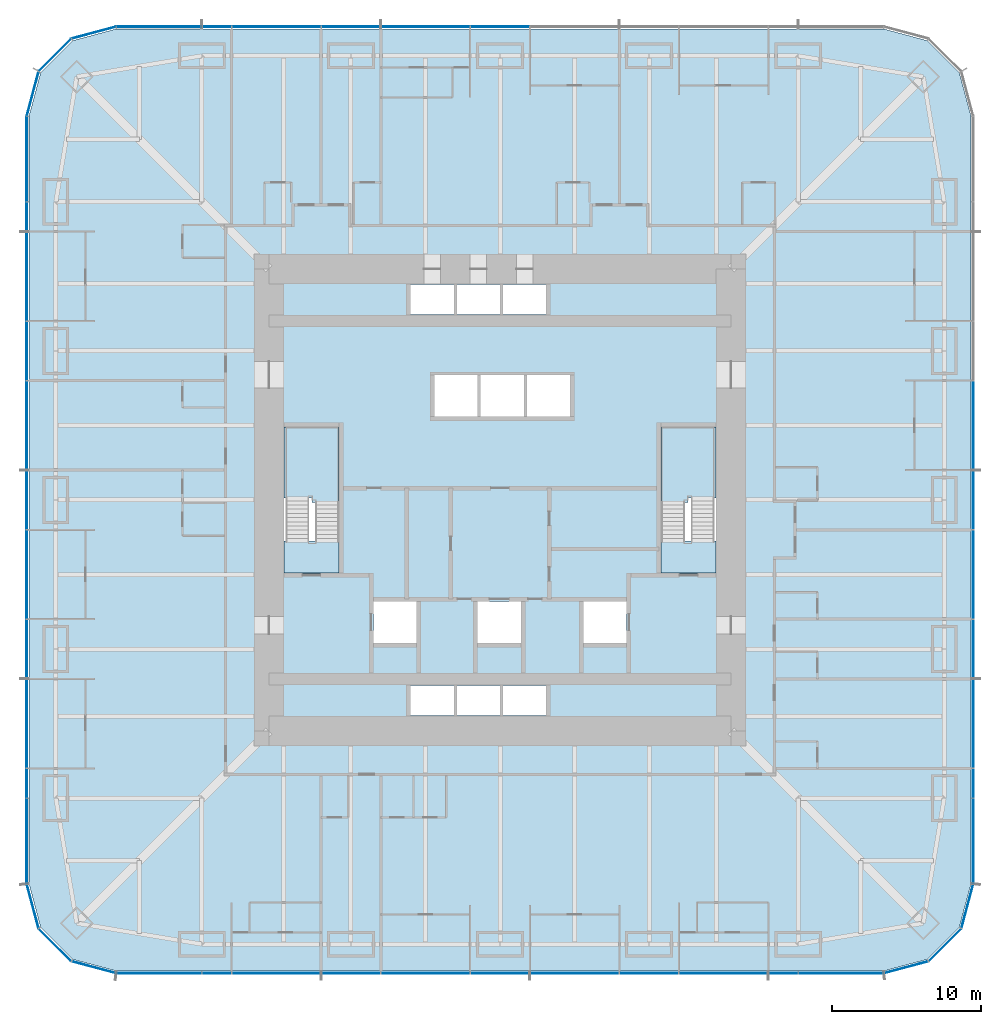
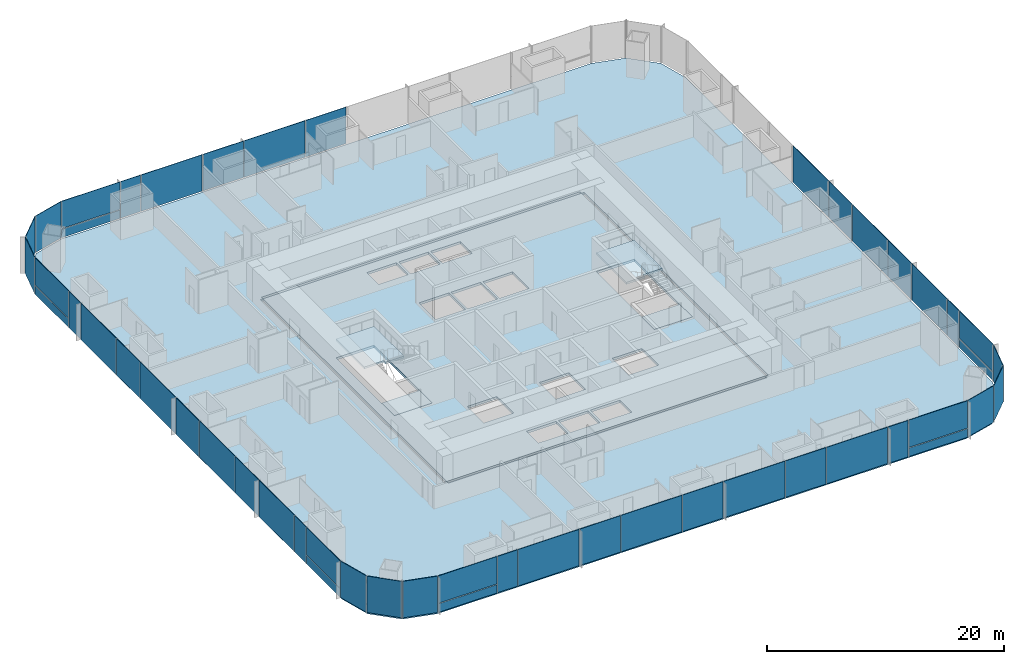
# One storey, part 10 of 17: 50 plates, 6 slabs, 9 elements without a shape of their own.
"""IFC4 building model written with IfcOpenShell, lengths in metres."""

from ifc_helpers import new_model, si_unit, direction, frame, origin, origin_2d, place, context, subcontext, project, spatial, polyline, rectangle, outline, extrude, material, layer, layer_set, type_object, element, aggregate, save


model = new_model("IFC4")

# Units and contexts
model_context = context("Model", 3, precision=1e-05, world=origin(), true_north=direction((0.0, 1.0)))
body_context = subcontext(model_context, "Body", "Model", "MODEL_VIEW")
ifc_project = project(units=[si_unit("LENGTHUNIT", "METRE"), si_unit("AREAUNIT", "SQUARE_METRE"), si_unit("VOLUMEUNIT", "CUBIC_METRE"), si_unit("PLANEANGLEUNIT", "RADIAN"), si_unit("MASSUNIT", "GRAM", prefix="KILO")], contexts=[model_context])

# Site, building, storey
site_placement = place(None, origin())
site = spatial("IfcSite", under=ifc_project, at=site_placement, CompositionType="ELEMENT")
building_placement = place(site_placement, origin())
building = spatial("IfcBuilding", under=site, at=building_placement, Name="Khuree Lantern Residences", CompositionType="ELEMENT")
storey_placement = place(building_placement, frame((0.0, 0.0, 39.75)))
storey = spatial("IfcBuildingStorey", under=building, at=storey_placement, Name="L09", CompositionType="ELEMENT", Elevation=39.75)

# Slab
ifc_material_1 = material(Name="Concrete C35/45", Category="concrete")
ifc_layer_1 = layer(ifc_material_1, 0.25)
ifc_layer_set_1 = layer_set([ifc_layer_1], Name="CFL250 CORE FLOOR SLAB 250")
slab_type_1 = type_object("IfcSlabType", Name="CFL250 CORE FLOOR SLAB 250", PredefinedType="FLOOR", material=ifc_layer_set_1)
slab_1_placement = place(storey_placement, frame((0.0, 0.0, -0.25)))
element("IfcSlab", 1, at=slab_1_placement, inside=storey, type_object=slab_type_1, Name="Core floor L09", PredefinedType="FLOOR", context=body_context, shape_type="SweptSolid", body=[
    extrude(outline(polyline([(-15.5, -15.5), (-15.5, 15.5), (15.5, 15.5), (15.5, -15.5), (-15.5, -15.5)]), holes=[polyline([(14.5, 4.89990234375), (10.800048828125, 4.89990234375), (10.800048828125, -4.89990234375), (14.5, -4.89990234375), (14.5, 4.89990234375)]), polyline([(8.5, -6.800048828125), (5.60009765625, -6.800048828125), (5.60009765625, -9.60009765625), (8.5, -9.60009765625), (8.5, -6.800048828125)]), polyline([(4.699951171875, 8.39990234375), (1.800048828125, 8.39990234375), (1.800048828125, 5.60009765625), (4.699951171875, 5.60009765625), (4.699951171875, 8.39990234375)]), polyline([(0.199951171875, -12.449951171875), (0.199951171875, -14.449951171875), (3.10009765625, -14.449951171875), (3.10009765625, -12.449951171875), (0.199951171875, -12.449951171875)]), polyline([(3.10009765625, 14.449951171875), (0.199951171875, 14.449951171875), (0.199951171875, 12.449951171875), (3.10009765625, 12.449951171875), (3.10009765625, 14.449951171875)]), polyline([(1.60009765625, 8.39990234375), (-1.300048828125, 8.39990234375), (-1.300048828125, 5.60009765625), (1.60009765625, 5.60009765625), (1.60009765625, 8.39990234375)]), polyline([(1.39990234375, -6.800048828125), (-1.5, -6.800048828125), (-1.5, -9.60009765625), (1.39990234375, -9.60009765625), (1.39990234375, -6.800048828125)]), polyline([(0.0, -12.449951171875), (-2.89990234375, -12.449951171875), (-2.89990234375, -14.449951171875), (0.0, -14.449951171875), (0.0, -12.449951171875)]), polyline([(0.0, 14.449951171875), (-2.89990234375, 14.449951171875), (-2.89990234375, 12.449951171875), (0.0, 12.449951171875), (0.0, 14.449951171875)]), polyline([(-1.5, 8.39990234375), (-4.39990234375, 8.39990234375), (-4.39990234375, 5.60009765625), (-1.5, 5.60009765625), (-1.5, 8.39990234375)]), polyline([(-6.0, -12.449951171875), (-6.0, -14.449951171875), (-3.10009765625, -14.449951171875), (-3.10009765625, -12.449951171875), (-6.0, -12.449951171875)]), polyline([(-3.10009765625, 14.449951171875), (-6.0, 14.449951171875), (-6.0, 12.449951171875), (-3.10009765625, 12.449951171875), (-3.10009765625, 14.449951171875)]), polyline([(-5.60009765625, -6.800048828125), (-8.5, -6.800048828125), (-8.5, -9.60009765625), (-5.60009765625, -9.60009765625), (-5.60009765625, -6.800048828125)]), polyline([(-10.800048828125, 4.89990234375), (-14.5, 4.89990234375), (-14.5, -4.89990234375), (-10.800048828125, -4.89990234375), (-10.800048828125, 4.89990234375)])]), origin(), (0.0, 0.0, 1.0), 0.25),
])

# Curtain wall, plates
ifc_material_2 = material(Name="Bronze anodised aluminium", Category="aluminium")
curtain_wall_type_1 = type_object("IfcCurtainWallType", Name="CW-T2 TOWER CORNER CURTAIN WALL", PredefinedType="USERDEFINED", material=ifc_material_2)
curtain_wall_1_placement = place(storey_placement, origin())
curtain_wall_1 = element("IfcCurtainWall", 2, at=curtain_wall_1_placement, inside=storey, type_object=curtain_wall_type_1, Name="L09 SOUTH-EAST CORNER CURTAIN WALL", ObjectType="Faceted corner curtain wall", PredefinedType="USERDEFINED")
ifc_material_3 = material(Name="Bronze tinted triple glazing", Category="glass")
ifc_layer_2 = layer(ifc_material_3, 0.048095703125)
ifc_layer_set_2 = layer_set([ifc_layer_2], Name="FACET PANEL P4")
plate_type_1 = type_object("IfcPlateType", Name="FACET PANEL P4", PredefinedType="CURTAIN_PANEL", material=ifc_layer_set_2)
plate_1_placement = place(storey_placement, frame((27.248046875, -31.3486328125, 0.0), z_axis=(0.0, 0.0, 1.0), x_axis=(0.965925792265, 0.258819172081, 0.0)))
plate_1 = element("IfcPlate", 3, at=plate_1_placement, type_object=plate_type_1, Name="L09 SOUTH-EAST CORNER PANEL 1.1", PredefinedType="CURTAIN_PANEL", context=body_context, shape_type="SweptSolid", body=[
    extrude(rectangle(XDim=3.02978515625, YDim=0.048095703125, at=origin_2d()), origin(), (0.0, 0.0, 1.0), 3.75),
])
plate_2_placement = place(storey_placement, frame((29.84814453125, -29.84814453125, 0.0), z_axis=(0.0, 0.0, 1.0), x_axis=(0.707106781187, 0.707106781187, 0.0)))
plate_2 = element("IfcPlate", 4, at=plate_2_placement, type_object=plate_type_1, Name="L09 SOUTH-EAST CORNER PANEL 2.1", PredefinedType="CURTAIN_PANEL", context=body_context, shape_type="SweptSolid", body=[
    extrude(rectangle(XDim=3.025634765625, YDim=0.048095703125, at=origin_2d()), origin(), (0.0, 0.0, 1.0), 3.75),
])
plate_3_placement = place(storey_placement, frame((31.3486328125, -27.248046875, 0.0), z_axis=(0.0, 0.0, 1.0), x_axis=(0.258819172081, 0.965925792265, 0.0)))
plate_3 = element("IfcPlate", 5, at=plate_3_placement, type_object=plate_type_1, Name="L09 SOUTH-EAST CORNER PANEL 3.1", PredefinedType="CURTAIN_PANEL", context=body_context, shape_type="SweptSolid", body=[
    extrude(rectangle(XDim=3.02978515625, YDim=0.048095703125, at=origin_2d()), origin(), (0.0, 0.0, 1.0), 3.75),
])
aggregate(curtain_wall_1, [plate_1, plate_2, plate_3])

curtain_wall_2_placement = place(storey_placement, origin())
curtain_wall_2 = element("IfcCurtainWall", 6, at=curtain_wall_2_placement, inside=storey, type_object=curtain_wall_type_1, Name="L09 NORTH-WEST CORNER CURTAIN WALL", ObjectType="Faceted corner curtain wall", PredefinedType="USERDEFINED")
plate_4_placement = place(storey_placement, frame((-27.248046875, 31.3486328125, 0.0), z_axis=(0.0, 0.0, 1.0), x_axis=(-0.965925792265, -0.258819172081, 0.0)))
plate_4 = element("IfcPlate", 7, at=plate_4_placement, type_object=plate_type_1, Name="L09 NORTH-WEST CORNER PANEL 29.1", PredefinedType="CURTAIN_PANEL", context=body_context, shape_type="SweptSolid", body=[
    extrude(rectangle(XDim=3.02978515625, YDim=0.048095703125, at=origin_2d()), origin(), (0.0, 0.0, 1.0), 3.75),
])
plate_5_placement = place(storey_placement, frame((-29.84814453125, 29.84814453125, 0.0), z_axis=(0.0, 0.0, 1.0), x_axis=(-0.707106781187, -0.707106781187, 0.0)))
plate_5 = element("IfcPlate", 8, at=plate_5_placement, type_object=plate_type_1, Name="L09 NORTH-WEST CORNER PANEL 30.1", PredefinedType="CURTAIN_PANEL", context=body_context, shape_type="SweptSolid", body=[
    extrude(rectangle(XDim=3.025634765625, YDim=0.048095703125, at=origin_2d()), origin(), (0.0, 0.0, 1.0), 3.75),
])
plate_6_placement = place(storey_placement, frame((-31.3486328125, 27.248046875, 0.0), z_axis=(0.0, 0.0, 1.0), x_axis=(-0.258819172081, -0.965925792265, 0.0)))
plate_6 = element("IfcPlate", 9, at=plate_6_placement, type_object=plate_type_1, Name="L09 NORTH-WEST CORNER PANEL 31.1", PredefinedType="CURTAIN_PANEL", context=body_context, shape_type="SweptSolid", body=[
    extrude(rectangle(XDim=3.02978515625, YDim=0.048095703125, at=origin_2d()), origin(), (0.0, 0.0, 1.0), 3.75),
])
aggregate(curtain_wall_2, [plate_4, plate_5, plate_6])

curtain_wall_3_placement = place(storey_placement, origin())
curtain_wall_3 = element("IfcCurtainWall", 10, at=curtain_wall_3_placement, inside=storey, type_object=curtain_wall_type_1, Name="L09 SOUTH-WEST CORNER CURTAIN WALL", ObjectType="Faceted corner curtain wall", PredefinedType="USERDEFINED")
plate_7_placement = place(storey_placement, frame((-31.3486328125, -27.248046875, 0.0), z_axis=(0.0, 0.0, 1.0), x_axis=(0.258819172081, -0.965925792265, 0.0)))
plate_7 = element("IfcPlate", 11, at=plate_7_placement, type_object=plate_type_1, Name="L09 SOUTH-WEST CORNER PANEL 43.1", PredefinedType="CURTAIN_PANEL", context=body_context, shape_type="SweptSolid", body=[
    extrude(rectangle(XDim=3.02978515625, YDim=0.048095703125, at=origin_2d()), origin(), (0.0, 0.0, 1.0), 3.75),
])
plate_8_placement = place(storey_placement, frame((-29.84814453125, -29.84814453125, 0.0), z_axis=(0.0, 0.0, 1.0), x_axis=(0.707106781187, -0.707106781187, 0.0)))
plate_8 = element("IfcPlate", 12, at=plate_8_placement, type_object=plate_type_1, Name="L09 SOUTH-WEST CORNER PANEL 44.1", PredefinedType="CURTAIN_PANEL", context=body_context, shape_type="SweptSolid", body=[
    extrude(rectangle(XDim=3.025634765625, YDim=0.048095703125, at=origin_2d()), origin(), (0.0, 0.0, 1.0), 3.75),
])
plate_9_placement = place(storey_placement, frame((-27.248046875, -31.3486328125, 0.0), z_axis=(0.0, 0.0, 1.0), x_axis=(0.965925792265, -0.258819172081, 0.0)))
plate_9 = element("IfcPlate", 13, at=plate_9_placement, type_object=plate_type_1, Name="L09 SOUTH-WEST CORNER PANEL 45.1", PredefinedType="CURTAIN_PANEL", context=body_context, shape_type="SweptSolid", body=[
    extrude(rectangle(XDim=3.02978515625, YDim=0.048095703125, at=origin_2d()), origin(), (0.0, 0.0, 1.0), 3.75),
])
aggregate(curtain_wall_3, [plate_7, plate_8, plate_9])

curtain_wall_type_2 = type_object("IfcCurtainWallType", Name="CW-T1 TOWER FACE CURTAIN WALL", PredefinedType="USERDEFINED", material=ifc_material_2)
curtain_wall_4_placement = place(storey_placement, origin())
curtain_wall_4 = element("IfcCurtainWall", 14, at=curtain_wall_4_placement, inside=storey, type_object=curtain_wall_type_2, Name="L09 EAST FACE CURTAIN WALL", ObjectType="Stick-built curtain wall", PredefinedType="USERDEFINED")
ifc_material_4 = material(Name="Bronze tinted triple glazing with a ceramic-fritted spandrel band", Category="glass")
ifc_layer_3 = layer(ifc_material_4, 0.048095703125)
ifc_layer_set_3 = layer_set([ifc_layer_3], Name="FIXED LIGHT PANEL P11")
plate_type_2 = type_object("IfcPlateType", Name="FIXED LIGHT PANEL P11", PredefinedType="CURTAIN_PANEL", material=ifc_layer_set_3)
plate_10_placement = place(storey_placement, frame((31.75, -15.0, 0.0), z_axis=(0.0, 0.0, 1.0), x_axis=(0.0, 1.0, 0.0)))
plate_10 = element("IfcPlate", 15, at=plate_10_placement, type_object=plate_type_2, Name="L09 EAST FACE PANEL 6.1", PredefinedType="CURTAIN_PANEL", context=body_context, shape_type="SweptSolid", body=[
    extrude(rectangle(XDim=5.93505859375, YDim=0.048095703125, at=origin_2d()), origin(), (0.0, 0.0, 1.0), 3.75),
])
plate_11_placement = place(storey_placement, frame((31.75, -5.0, 0.0), z_axis=(0.0, 0.0, 1.0), x_axis=(0.0, 1.0, 0.0)))
plate_11 = element("IfcPlate", 16, at=plate_11_placement, type_object=plate_type_2, Name="L09 EAST FACE PANEL 8.1", PredefinedType="CURTAIN_PANEL", context=body_context, shape_type="SweptSolid", body=[
    extrude(rectangle(XDim=5.93505859375, YDim=0.048095703125, at=origin_2d()), origin(), (0.0, 0.0, 1.0), 3.75),
])
plate_12_placement = place(storey_placement, frame((31.75, 5.0, 0.0), z_axis=(0.0, 0.0, 1.0), x_axis=(0.0, 1.0, 0.0)))
plate_12 = element("IfcPlate", 17, at=plate_12_placement, type_object=plate_type_2, Name="L09 EAST FACE PANEL 10.1", PredefinedType="CURTAIN_PANEL", context=body_context, shape_type="SweptSolid", body=[
    extrude(rectangle(XDim=5.93505859375, YDim=0.048095703125, at=origin_2d()), origin(), (0.0, 0.0, 1.0), 3.75),
])

curtain_wall_5_placement = place(storey_placement, origin())
curtain_wall_5 = element("IfcCurtainWall", 18, at=curtain_wall_5_placement, inside=storey, type_object=curtain_wall_type_2, Name="L09 NORTH FACE CURTAIN WALL", ObjectType="Stick-built curtain wall", PredefinedType="USERDEFINED")
plate_13_placement = place(storey_placement, frame((-5.0, 31.75, 0.0), z_axis=(0.0, 0.0, 1.0), x_axis=(-1.0, 0.0, 0.0)))
plate_13 = element("IfcPlate", 19, at=plate_13_placement, type_object=plate_type_2, Name="L09 NORTH FACE PANEL 24.1", PredefinedType="CURTAIN_PANEL", context=body_context, shape_type="SweptSolid", body=[
    extrude(rectangle(XDim=5.93505859375, YDim=0.048095703125, at=origin_2d()), origin(), (0.0, 0.0, 1.0), 3.75),
])
plate_14_placement = place(storey_placement, frame((-15.0, 31.75, 0.0), z_axis=(0.0, 0.0, 1.0), x_axis=(-1.0, 0.0, 0.0)))
plate_14 = element("IfcPlate", 20, at=plate_14_placement, type_object=plate_type_2, Name="L09 NORTH FACE PANEL 26.1", PredefinedType="CURTAIN_PANEL", context=body_context, shape_type="SweptSolid", body=[
    extrude(rectangle(XDim=5.93505859375, YDim=0.048095703125, at=origin_2d()), origin(), (0.0, 0.0, 1.0), 3.75),
])

curtain_wall_6_placement = place(storey_placement, origin())
curtain_wall_6 = element("IfcCurtainWall", 21, at=curtain_wall_6_placement, inside=storey, type_object=curtain_wall_type_2, Name="L09 WEST FACE CURTAIN WALL", ObjectType="Stick-built curtain wall", PredefinedType="USERDEFINED")
plate_15_placement = place(storey_placement, frame((-31.75, 15.0, 0.0), z_axis=(0.0, 0.0, 1.0), x_axis=(0.0, -1.0, 0.0)))
plate_15 = element("IfcPlate", 22, at=plate_15_placement, type_object=plate_type_2, Name="L09 WEST FACE PANEL 34.1", PredefinedType="CURTAIN_PANEL", context=body_context, shape_type="SweptSolid", body=[
    extrude(rectangle(XDim=5.93505859375, YDim=0.048095703125, at=origin_2d()), origin(), (0.0, 0.0, 1.0), 3.75),
])
plate_16_placement = place(storey_placement, frame((-31.75, 5.0, 0.0), z_axis=(0.0, 0.0, 1.0), x_axis=(0.0, -1.0, 0.0)))
plate_16 = element("IfcPlate", 23, at=plate_16_placement, type_object=plate_type_2, Name="L09 WEST FACE PANEL 36.1", PredefinedType="CURTAIN_PANEL", context=body_context, shape_type="SweptSolid", body=[
    extrude(rectangle(XDim=5.93505859375, YDim=0.048095703125, at=origin_2d()), origin(), (0.0, 0.0, 1.0), 3.75),
])
plate_17_placement = place(storey_placement, frame((-31.75, -5.0, 0.0), z_axis=(0.0, 0.0, 1.0), x_axis=(0.0, -1.0, 0.0)))
plate_17 = element("IfcPlate", 24, at=plate_17_placement, type_object=plate_type_2, Name="L09 WEST FACE PANEL 38.1", PredefinedType="CURTAIN_PANEL", context=body_context, shape_type="SweptSolid", body=[
    extrude(rectangle(XDim=5.93505859375, YDim=0.048095703125, at=origin_2d()), origin(), (0.0, 0.0, 1.0), 3.75),
])
plate_18_placement = place(storey_placement, frame((-31.75, -15.0, 0.0), z_axis=(0.0, 0.0, 1.0), x_axis=(0.0, -1.0, 0.0)))
plate_18 = element("IfcPlate", 25, at=plate_18_placement, type_object=plate_type_2, Name="L09 WEST FACE PANEL 40.1", PredefinedType="CURTAIN_PANEL", context=body_context, shape_type="SweptSolid", body=[
    extrude(rectangle(XDim=5.93505859375, YDim=0.048095703125, at=origin_2d()), origin(), (0.0, 0.0, 1.0), 3.75),
])

curtain_wall_7_placement = place(storey_placement, origin())
curtain_wall_7 = element("IfcCurtainWall", 26, at=curtain_wall_7_placement, inside=storey, type_object=curtain_wall_type_2, Name="L09 SOUTH FACE CURTAIN WALL", ObjectType="Stick-built curtain wall", PredefinedType="USERDEFINED")
plate_19_placement = place(storey_placement, frame((-15.0, -31.75, 0.0), z_axis=(0.0, 0.0, 1.0), x_axis=(1.0, 0.0, 0.0)))
plate_19 = element("IfcPlate", 27, at=plate_19_placement, type_object=plate_type_2, Name="L09 SOUTH FACE PANEL 48.1", PredefinedType="CURTAIN_PANEL", context=body_context, shape_type="SweptSolid", body=[
    extrude(rectangle(XDim=5.93505859375, YDim=0.048095703125, at=origin_2d()), origin(), (0.0, 0.0, 1.0), 3.75),
])
plate_20_placement = place(storey_placement, frame((-5.0, -31.75, 0.0), z_axis=(0.0, 0.0, 1.0), x_axis=(1.0, 0.0, 0.0)))
plate_20 = element("IfcPlate", 28, at=plate_20_placement, type_object=plate_type_2, Name="L09 SOUTH FACE PANEL 50.1", PredefinedType="CURTAIN_PANEL", context=body_context, shape_type="SweptSolid", body=[
    extrude(rectangle(XDim=5.93505859375, YDim=0.048095703125, at=origin_2d()), origin(), (0.0, 0.0, 1.0), 3.75),
])
plate_21_placement = place(storey_placement, frame((5.0, -31.75, 0.0), z_axis=(0.0, 0.0, 1.0), x_axis=(1.0, 0.0, 0.0)))
plate_21 = element("IfcPlate", 29, at=plate_21_placement, type_object=plate_type_2, Name="L09 SOUTH FACE PANEL 52.1", PredefinedType="CURTAIN_PANEL", context=body_context, shape_type="SweptSolid", body=[
    extrude(rectangle(XDim=5.93505859375, YDim=0.048095703125, at=origin_2d()), origin(), (0.0, 0.0, 1.0), 3.75),
])
plate_22_placement = place(storey_placement, frame((15.0, -31.75, 0.0), z_axis=(0.0, 0.0, 1.0), x_axis=(1.0, 0.0, 0.0)))
plate_22 = element("IfcPlate", 30, at=plate_22_placement, type_object=plate_type_2, Name="L09 SOUTH FACE PANEL 54.1", PredefinedType="CURTAIN_PANEL", context=body_context, shape_type="SweptSolid", body=[
    extrude(rectangle(XDim=5.93505859375, YDim=0.048095703125, at=origin_2d()), origin(), (0.0, 0.0, 1.0), 3.75),
])

# Slab
ifc_layer_4 = layer(ifc_material_1, 0.25)
ifc_layer_set_4 = layer_set([ifc_layer_4], Name="FS250 FLOOR SLAB 250")
slab_type_2 = type_object("IfcSlabType", Name="FS250 FLOOR SLAB 250", PredefinedType="FLOOR", material=ifc_layer_set_4)
slab_2_placement = place(storey_placement, frame((0.0, 0.0, -0.25)))
element("IfcSlab", 31, at=slab_2_placement, inside=storey, type_object=slab_type_2, Name="Floor slab L09", PredefinedType="FLOOR", context=body_context, shape_type="SweptSolid", body=[
    extrude(outline(polyline([(-28.675048828125, -30.816162109375), (-30.816162109375, -28.675048828125), (-31.60009765625, -25.75), (-31.60009765625, 25.75), (-30.816162109375, 28.675048828125), (-28.675048828125, 30.816162109375), (-25.75, 31.60009765625), (25.75, 31.60009765625), (28.675048828125, 30.816162109375), (30.816162109375, 28.675048828125), (31.60009765625, 25.75), (31.60009765625, -25.75), (30.816162109375, -28.675048828125), (28.675048828125, -30.816162109375), (25.75, -31.60009765625), (-25.75, -31.60009765625), (-28.675048828125, -30.816162109375)]), holes=[polyline([(15.75, 15.5), (15.5, 15.5), (15.5, 15.75), (-15.5, 15.75), (-15.5, 15.5), (-15.75, 15.5), (-15.75, -15.5), (-15.5, -15.5), (-15.5, -15.75), (15.5, -15.75), (15.5, -15.5), (15.75, -15.5), (15.75, 15.5)])]), origin(), (0.0, 0.0, 1.0), 0.25),
])

# Plate
ifc_material_5 = material(Name="Bronze tinted triple glazing, two aluminium-framed sashes in one frame", Category="aluminium")
ifc_layer_5 = layer(ifc_material_5, 0.048095703125)
ifc_layer_set_5 = layer_set([ifc_layer_5], Name="SASH PAIR PANEL P12")
plate_type_3 = type_object("IfcPlateType", Name="SASH PAIR PANEL P12", PredefinedType="CURTAIN_PANEL", material=ifc_layer_set_5)
plate_23_placement = place(storey_placement, frame((31.75, -10.0, 0.0), z_axis=(0.0, 0.0, 1.0), x_axis=(0.0, 1.0, 0.0)))
plate_23 = element("IfcPlate", 32, at=plate_23_placement, type_object=plate_type_3, Name="L09 EAST FACE PANEL 7.1", PredefinedType="CURTAIN_PANEL", context=body_context, shape_type="SweptSolid", body=[
    extrude(rectangle(XDim=3.93505859375, YDim=0.048095703125, at=origin_2d()), origin(), (0.0, 0.0, 1.0), 3.75),
])

plate_24_placement = place(storey_placement, frame((31.75, 0.0, 0.0), z_axis=(0.0, 0.0, 1.0), x_axis=(0.0, 1.0, 0.0)))
plate_24 = element("IfcPlate", 33, at=plate_24_placement, type_object=plate_type_3, Name="L09 EAST FACE PANEL 9.1", PredefinedType="CURTAIN_PANEL", context=body_context, shape_type="SweptSolid", body=[
    extrude(rectangle(XDim=3.93505859375, YDim=0.048095703125, at=origin_2d()), origin(), (0.0, 0.0, 1.0), 3.75),
])

plate_25_placement = place(storey_placement, frame((0.0, 31.75, 0.0), z_axis=(0.0, 0.0, 1.0), x_axis=(-1.0, 0.0, 0.0)))
plate_25 = element("IfcPlate", 34, at=plate_25_placement, type_object=plate_type_3, Name="L09 NORTH FACE PANEL 23.1", PredefinedType="CURTAIN_PANEL", context=body_context, shape_type="SweptSolid", body=[
    extrude(rectangle(XDim=3.93505859375, YDim=0.048095703125, at=origin_2d()), origin(), (0.0, 0.0, 1.0), 3.75),
])

plate_26_placement = place(storey_placement, frame((-10.0, 31.75, 0.0), z_axis=(0.0, 0.0, 1.0), x_axis=(-1.0, 0.0, 0.0)))
plate_26 = element("IfcPlate", 35, at=plate_26_placement, type_object=plate_type_3, Name="L09 NORTH FACE PANEL 25.1", PredefinedType="CURTAIN_PANEL", context=body_context, shape_type="SweptSolid", body=[
    extrude(rectangle(XDim=3.93505859375, YDim=0.048095703125, at=origin_2d()), origin(), (0.0, 0.0, 1.0), 3.75),
])

plate_27_placement = place(storey_placement, frame((-31.75, 10.0, 0.0), z_axis=(0.0, 0.0, 1.0), x_axis=(0.0, -1.0, 0.0)))
plate_27 = element("IfcPlate", 36, at=plate_27_placement, type_object=plate_type_3, Name="L09 WEST FACE PANEL 35.1", PredefinedType="CURTAIN_PANEL", context=body_context, shape_type="SweptSolid", body=[
    extrude(rectangle(XDim=3.93505859375, YDim=0.048095703125, at=origin_2d()), origin(), (0.0, 0.0, 1.0), 3.75),
])

plate_28_placement = place(storey_placement, frame((-31.75, 0.0, 0.0), z_axis=(0.0, 0.0, 1.0), x_axis=(0.0, -1.0, 0.0)))
plate_28 = element("IfcPlate", 37, at=plate_28_placement, type_object=plate_type_3, Name="L09 WEST FACE PANEL 37.1", PredefinedType="CURTAIN_PANEL", context=body_context, shape_type="SweptSolid", body=[
    extrude(rectangle(XDim=3.93505859375, YDim=0.048095703125, at=origin_2d()), origin(), (0.0, 0.0, 1.0), 3.75),
])

plate_29_placement = place(storey_placement, frame((-31.75, -10.0, 0.0), z_axis=(0.0, 0.0, 1.0), x_axis=(0.0, -1.0, 0.0)))
plate_29 = element("IfcPlate", 38, at=plate_29_placement, type_object=plate_type_3, Name="L09 WEST FACE PANEL 39.1", PredefinedType="CURTAIN_PANEL", context=body_context, shape_type="SweptSolid", body=[
    extrude(rectangle(XDim=3.93505859375, YDim=0.048095703125, at=origin_2d()), origin(), (0.0, 0.0, 1.0), 3.75),
])

plate_30_placement = place(storey_placement, frame((-10.0, -31.75, 0.0), z_axis=(0.0, 0.0, 1.0), x_axis=(1.0, 0.0, 0.0)))
plate_30 = element("IfcPlate", 39, at=plate_30_placement, type_object=plate_type_3, Name="L09 SOUTH FACE PANEL 49.1", PredefinedType="CURTAIN_PANEL", context=body_context, shape_type="SweptSolid", body=[
    extrude(rectangle(XDim=3.93505859375, YDim=0.048095703125, at=origin_2d()), origin(), (0.0, 0.0, 1.0), 3.75),
])

plate_31_placement = place(storey_placement, frame((0.0, -31.75, 0.0), z_axis=(0.0, 0.0, 1.0), x_axis=(1.0, 0.0, 0.0)))
plate_31 = element("IfcPlate", 40, at=plate_31_placement, type_object=plate_type_3, Name="L09 SOUTH FACE PANEL 51.1", PredefinedType="CURTAIN_PANEL", context=body_context, shape_type="SweptSolid", body=[
    extrude(rectangle(XDim=3.93505859375, YDim=0.048095703125, at=origin_2d()), origin(), (0.0, 0.0, 1.0), 3.75),
])

plate_32_placement = place(storey_placement, frame((10.0, -31.75, 0.0), z_axis=(0.0, 0.0, 1.0), x_axis=(1.0, 0.0, 0.0)))
plate_32 = element("IfcPlate", 41, at=plate_32_placement, type_object=plate_type_3, Name="L09 SOUTH FACE PANEL 53.1", PredefinedType="CURTAIN_PANEL", context=body_context, shape_type="SweptSolid", body=[
    extrude(rectangle(XDim=3.93505859375, YDim=0.048095703125, at=origin_2d()), origin(), (0.0, 0.0, 1.0), 3.75),
])

ifc_material_6 = material(Name="Bronze tinted triple glazing, aluminium-framed sash", Category="aluminium")
ifc_layer_6 = layer(ifc_material_6, 0.048095703125)
ifc_layer_set_6 = layer_set([ifc_layer_6], Name="SASH PANEL P3")
plate_type_4 = type_object("IfcPlateType", Name="SASH PANEL P3", PredefinedType="CURTAIN_PANEL", material=ifc_layer_set_6)
plate_33_placement = place(storey_placement, frame((31.75, -19.0, 0.0), z_axis=(0.0, 0.0, 1.0), x_axis=(0.0, 1.0, 0.0)))
plate_33 = element("IfcPlate", 42, at=plate_33_placement, type_object=plate_type_4, Name="L09 EAST FACE PANEL 5.1", PredefinedType="CURTAIN_PANEL", context=body_context, shape_type="SweptSolid", body=[
    extrude(rectangle(XDim=1.93505859375, YDim=0.048095703125, at=origin_2d()), origin(), (0.0, 0.0, 1.0), 3.75),
])

plate_34_placement = place(storey_placement, frame((-19.0, 31.75, 0.0), z_axis=(0.0, 0.0, 1.0), x_axis=(-1.0, 0.0, 0.0)))
plate_34 = element("IfcPlate", 43, at=plate_34_placement, type_object=plate_type_4, Name="L09 NORTH FACE PANEL 27.1", PredefinedType="CURTAIN_PANEL", context=body_context, shape_type="SweptSolid", body=[
    extrude(rectangle(XDim=1.93505859375, YDim=0.048095703125, at=origin_2d()), origin(), (0.0, 0.0, 1.0), 3.75),
])

plate_35_placement = place(storey_placement, frame((-31.75, 19.0, 0.0), z_axis=(0.0, 0.0, 1.0), x_axis=(0.0, -1.0, 0.0)))
plate_35 = element("IfcPlate", 44, at=plate_35_placement, type_object=plate_type_4, Name="L09 WEST FACE PANEL 33.1", PredefinedType="CURTAIN_PANEL", context=body_context, shape_type="SweptSolid", body=[
    extrude(rectangle(XDim=1.93505859375, YDim=0.048095703125, at=origin_2d()), origin(), (0.0, 0.0, 1.0), 3.75),
])

plate_36_placement = place(storey_placement, frame((-31.75, -19.0, 0.0), z_axis=(0.0, 0.0, 1.0), x_axis=(0.0, -1.0, 0.0)))
plate_36 = element("IfcPlate", 45, at=plate_36_placement, type_object=plate_type_4, Name="L09 WEST FACE PANEL 41.1", PredefinedType="CURTAIN_PANEL", context=body_context, shape_type="SweptSolid", body=[
    extrude(rectangle(XDim=1.93505859375, YDim=0.048095703125, at=origin_2d()), origin(), (0.0, 0.0, 1.0), 3.75),
])

plate_37_placement = place(storey_placement, frame((-19.0, -31.75, 0.0), z_axis=(0.0, 0.0, 1.0), x_axis=(1.0, 0.0, 0.0)))
plate_37 = element("IfcPlate", 46, at=plate_37_placement, type_object=plate_type_4, Name="L09 SOUTH FACE PANEL 47.1", PredefinedType="CURTAIN_PANEL", context=body_context, shape_type="SweptSolid", body=[
    extrude(rectangle(XDim=1.93505859375, YDim=0.048095703125, at=origin_2d()), origin(), (0.0, 0.0, 1.0), 3.75),
])

plate_38_placement = place(storey_placement, frame((19.0, -31.75, 0.0), z_axis=(0.0, 0.0, 1.0), x_axis=(1.0, 0.0, 0.0)))
plate_38 = element("IfcPlate", 47, at=plate_38_placement, type_object=plate_type_4, Name="L09 SOUTH FACE PANEL 55.1", PredefinedType="CURTAIN_PANEL", context=body_context, shape_type="SweptSolid", body=[
    extrude(rectangle(XDim=1.93505859375, YDim=0.048095703125, at=origin_2d()), origin(), (0.0, 0.0, 1.0), 3.75),
])

ifc_material_7 = material(Name="Bronze anodised aluminium insulated spandrel", Category="aluminium")
ifc_layer_7 = layer(ifc_material_7, 0.06005859375)
ifc_layer_set_7 = layer_set([ifc_layer_7], Name="SPANDREL PANEL P2")
plate_type_5 = type_object("IfcPlateType", Name="SPANDREL PANEL P2", PredefinedType="CURTAIN_PANEL", material=ifc_layer_set_7)
plate_39_placement = place(storey_placement, frame((31.75, -22.872802734375, 0.0), z_axis=(0.0, 0.0, 1.0), x_axis=(0.0, 1.0, 0.0)))
plate_39 = element("IfcPlate", 48, at=plate_39_placement, type_object=plate_type_5, Name="L09 EAST FACE PANEL 4.1", PredefinedType="CURTAIN_PANEL", context=body_context, shape_type="SweptSolid", body=[
    extrude(rectangle(XDim=5.6806640625, YDim=0.06005859375, at=origin_2d()), origin(), (0.0, 0.0, 1.0), 0.867431640625),
])

plate_40_placement = place(storey_placement, frame((-22.872802734375, 31.75, 0.0), z_axis=(0.0, 0.0, 1.0), x_axis=(-1.0, 0.0, 0.0)))
plate_40 = element("IfcPlate", 49, at=plate_40_placement, type_object=plate_type_5, Name="L09 NORTH FACE PANEL 28.1", PredefinedType="CURTAIN_PANEL", context=body_context, shape_type="SweptSolid", body=[
    extrude(rectangle(XDim=5.6806640625, YDim=0.06005859375, at=origin_2d()), origin(), (0.0, 0.0, 1.0), 0.867431640625),
])

plate_41_placement = place(storey_placement, frame((-31.75, 22.872802734375, 0.0), z_axis=(0.0, 0.0, 1.0), x_axis=(0.0, -1.0, 0.0)))
plate_41 = element("IfcPlate", 50, at=plate_41_placement, type_object=plate_type_5, Name="L09 WEST FACE PANEL 32.1", PredefinedType="CURTAIN_PANEL", context=body_context, shape_type="SweptSolid", body=[
    extrude(rectangle(XDim=5.6806640625, YDim=0.06005859375, at=origin_2d()), origin(), (0.0, 0.0, 1.0), 0.867431640625),
])

plate_42_placement = place(storey_placement, frame((-31.75, -22.872802734375, 0.0), z_axis=(0.0, 0.0, 1.0), x_axis=(0.0, -1.0, 0.0)))
plate_42 = element("IfcPlate", 51, at=plate_42_placement, type_object=plate_type_5, Name="L09 WEST FACE PANEL 42.1", PredefinedType="CURTAIN_PANEL", context=body_context, shape_type="SweptSolid", body=[
    extrude(rectangle(XDim=5.6806640625, YDim=0.06005859375, at=origin_2d()), origin(), (0.0, 0.0, 1.0), 0.867431640625),
])

plate_43_placement = place(storey_placement, frame((-22.872802734375, -31.75, 0.0), z_axis=(0.0, 0.0, 1.0), x_axis=(1.0, 0.0, 0.0)))
plate_43 = element("IfcPlate", 52, at=plate_43_placement, type_object=plate_type_5, Name="L09 SOUTH FACE PANEL 46.1", PredefinedType="CURTAIN_PANEL", context=body_context, shape_type="SweptSolid", body=[
    extrude(rectangle(XDim=5.6806640625, YDim=0.06005859375, at=origin_2d()), origin(), (0.0, 0.0, 1.0), 0.867431640625),
])

plate_44_placement = place(storey_placement, frame((22.872802734375, -31.75, 0.0), z_axis=(0.0, 0.0, 1.0), x_axis=(1.0, 0.0, 0.0)))
plate_44 = element("IfcPlate", 53, at=plate_44_placement, type_object=plate_type_5, Name="L09 SOUTH FACE PANEL 56.1", PredefinedType="CURTAIN_PANEL", context=body_context, shape_type="SweptSolid", body=[
    extrude(rectangle(XDim=5.6806640625, YDim=0.06005859375, at=origin_2d()), origin(), (0.0, 0.0, 1.0), 0.867431640625),
])

# Stair, slabs
ifc_material_8 = material(Name="Concrete C40/50", Category="concrete")
stair_type = type_object("IfcStairType", Name="STAIR ST1 HALF TURN 3600", PredefinedType="HALF_TURN_STAIR", material=ifc_material_8)
stair_1_placement = place(storey_placement, origin())
stair_1 = element("IfcStair", 54, at=stair_1_placement, inside=storey, type_object=stair_type, Name="Stair ST1", PredefinedType="HALF_TURN_STAIR")
ifc_layer_8 = layer(ifc_material_8, 0.199951171875)
ifc_layer_set_8 = layer_set([ifc_layer_8], Name="STAIR LANDING SL1 200")
slab_type_3 = type_object("IfcSlabType", Name="STAIR LANDING SL1 200", PredefinedType="LANDING", material=ifc_layer_set_8)
slab_3_placement = place(storey_placement, frame((0.0, 0.0, -0.199951171875)))
slab_3 = element("IfcSlab", 55, at=slab_3_placement, type_object=slab_type_3, Name="ST1 landing 1", PredefinedType="LANDING", context=body_context, shape_type="SweptSolid", body=[
    extrude(outline(polyline([(-14.5, -4.89990234375), (-10.800048828125, -4.89990234375), (-10.800048828125, -2.760009765625), (-14.5, -2.760009765625), (-14.5, -4.89990234375)])), origin(), (0.0, 0.0, 1.0), 0.199951171875),
])
slab_4_placement = place(storey_placement, frame((0.0, 0.0, 1.756591796875)))
slab_4 = element("IfcSlab", 56, at=slab_4_placement, type_object=slab_type_3, Name="ST1 landing 2", PredefinedType="LANDING", context=body_context, shape_type="SweptSolid", body=[
    extrude(outline(polyline([(-14.5, 0.1201171875), (-14.5, 4.89990234375), (-10.800048828125, 4.89990234375), (-10.800048828125, -0.159912109375), (-12.60009765625, -0.159912109375), (-12.60009765625, 0.1201171875), (-14.5, 0.1201171875)])), origin(), (0.0, 0.0, 1.0), 0.199951171875),
])
aggregate(stair_1, [slab_3, slab_4])

stair_2_placement = place(storey_placement, origin())
stair_2 = element("IfcStair", 57, at=stair_2_placement, inside=storey, type_object=stair_type, Name="Stair ST2", PredefinedType="HALF_TURN_STAIR")
slab_5_placement = place(storey_placement, frame((0.0, 0.0, -0.199951171875)))
slab_5 = element("IfcSlab", 58, at=slab_5_placement, type_object=slab_type_3, Name="ST2 landing 1", PredefinedType="LANDING", context=body_context, shape_type="SweptSolid", body=[
    extrude(outline(polyline([(10.800048828125, -4.89990234375), (14.5, -4.89990234375), (14.5, -2.760009765625), (10.800048828125, -2.760009765625), (10.800048828125, -4.89990234375)])), origin(), (0.0, 0.0, 1.0), 0.199951171875),
])
slab_6_placement = place(storey_placement, frame((0.0, 0.0, 1.756591796875)))
slab_6 = element("IfcSlab", 59, at=slab_6_placement, type_object=slab_type_3, Name="ST2 landing 2", PredefinedType="LANDING", context=body_context, shape_type="SweptSolid", body=[
    extrude(outline(polyline([(14.5, 4.89990234375), (14.5, 0.1201171875), (12.60009765625, 0.1201171875), (12.60009765625, -0.159912109375), (10.800048828125, -0.159912109375), (10.800048828125, 4.89990234375), (14.5, 4.89990234375)])), origin(), (0.0, 0.0, 1.0), 0.199951171875),
])
aggregate(stair_2, [slab_5, slab_6])

# Plate
ifc_layer_9 = layer(ifc_material_3, 0.048095703125)
ifc_layer_set_9 = layer_set([ifc_layer_9], Name="VISION PANEL P1")
plate_type_6 = type_object("IfcPlateType", Name="VISION PANEL P1", PredefinedType="CURTAIN_PANEL", material=ifc_layer_set_9)
plate_45_placement = place(storey_placement, frame((31.75, -22.873291015625, 0.9326171875), z_axis=(0.0, 0.0, 1.0), x_axis=(0.0, 1.0, 0.0)))
plate_45 = element("IfcPlate", 60, at=plate_45_placement, type_object=plate_type_6, Name="L09 EAST FACE PANEL 4.2", PredefinedType="CURTAIN_PANEL", context=body_context, shape_type="SweptSolid", body=[
    extrude(rectangle(XDim=5.681640625, YDim=0.048095703125, at=origin_2d()), origin(), (0.0, 0.0, 1.0), 2.8173828125),
])

aggregate(curtain_wall_4, [plate_39, plate_45, plate_33, plate_10, plate_23, plate_11, plate_24, plate_12])

plate_46_placement = place(storey_placement, frame((-22.873291015625, 31.75, 0.9326171875), z_axis=(0.0, 0.0, 1.0), x_axis=(-1.0, 0.0, 0.0)))
plate_46 = element("IfcPlate", 61, at=plate_46_placement, type_object=plate_type_6, Name="L09 NORTH FACE PANEL 28.2", PredefinedType="CURTAIN_PANEL", context=body_context, shape_type="SweptSolid", body=[
    extrude(rectangle(XDim=5.681640625, YDim=0.048095703125, at=origin_2d()), origin(), (0.0, 0.0, 1.0), 2.8173828125),
])

aggregate(curtain_wall_5, [plate_25, plate_13, plate_26, plate_14, plate_34, plate_40, plate_46])

plate_47_placement = place(storey_placement, frame((-31.75, 22.873291015625, 0.9326171875), z_axis=(0.0, 0.0, 1.0), x_axis=(0.0, -1.0, 0.0)))
plate_47 = element("IfcPlate", 62, at=plate_47_placement, type_object=plate_type_6, Name="L09 WEST FACE PANEL 32.2", PredefinedType="CURTAIN_PANEL", context=body_context, shape_type="SweptSolid", body=[
    extrude(rectangle(XDim=5.681640625, YDim=0.048095703125, at=origin_2d()), origin(), (0.0, 0.0, 1.0), 2.8173828125),
])

plate_48_placement = place(storey_placement, frame((-31.75, -22.873291015625, 0.9326171875), z_axis=(0.0, 0.0, 1.0), x_axis=(0.0, -1.0, 0.0)))
plate_48 = element("IfcPlate", 63, at=plate_48_placement, type_object=plate_type_6, Name="L09 WEST FACE PANEL 42.2", PredefinedType="CURTAIN_PANEL", context=body_context, shape_type="SweptSolid", body=[
    extrude(rectangle(XDim=5.681640625, YDim=0.048095703125, at=origin_2d()), origin(), (0.0, 0.0, 1.0), 2.8173828125),
])

aggregate(curtain_wall_6, [plate_41, plate_47, plate_35, plate_15, plate_27, plate_16, plate_28, plate_17, plate_29, plate_18, plate_36, plate_42, plate_48])

plate_49_placement = place(storey_placement, frame((-22.873291015625, -31.75, 0.9326171875), z_axis=(0.0, 0.0, 1.0), x_axis=(1.0, 0.0, 0.0)))
plate_49 = element("IfcPlate", 64, at=plate_49_placement, type_object=plate_type_6, Name="L09 SOUTH FACE PANEL 46.2", PredefinedType="CURTAIN_PANEL", context=body_context, shape_type="SweptSolid", body=[
    extrude(rectangle(XDim=5.681640625, YDim=0.048095703125, at=origin_2d()), origin(), (0.0, 0.0, 1.0), 2.8173828125),
])

plate_50_placement = place(storey_placement, frame((22.873291015625, -31.75, 0.9326171875), z_axis=(0.0, 0.0, 1.0), x_axis=(1.0, 0.0, 0.0)))
plate_50 = element("IfcPlate", 65, at=plate_50_placement, type_object=plate_type_6, Name="L09 SOUTH FACE PANEL 56.2", PredefinedType="CURTAIN_PANEL", context=body_context, shape_type="SweptSolid", body=[
    extrude(rectangle(XDim=5.681640625, YDim=0.048095703125, at=origin_2d()), origin(), (0.0, 0.0, 1.0), 2.8173828125),
])

aggregate(curtain_wall_7, [plate_43, plate_49, plate_37, plate_19, plate_30, plate_20, plate_31, plate_21, plate_32, plate_22, plate_38, plate_44, plate_50])

save(model, "model.ifc")
